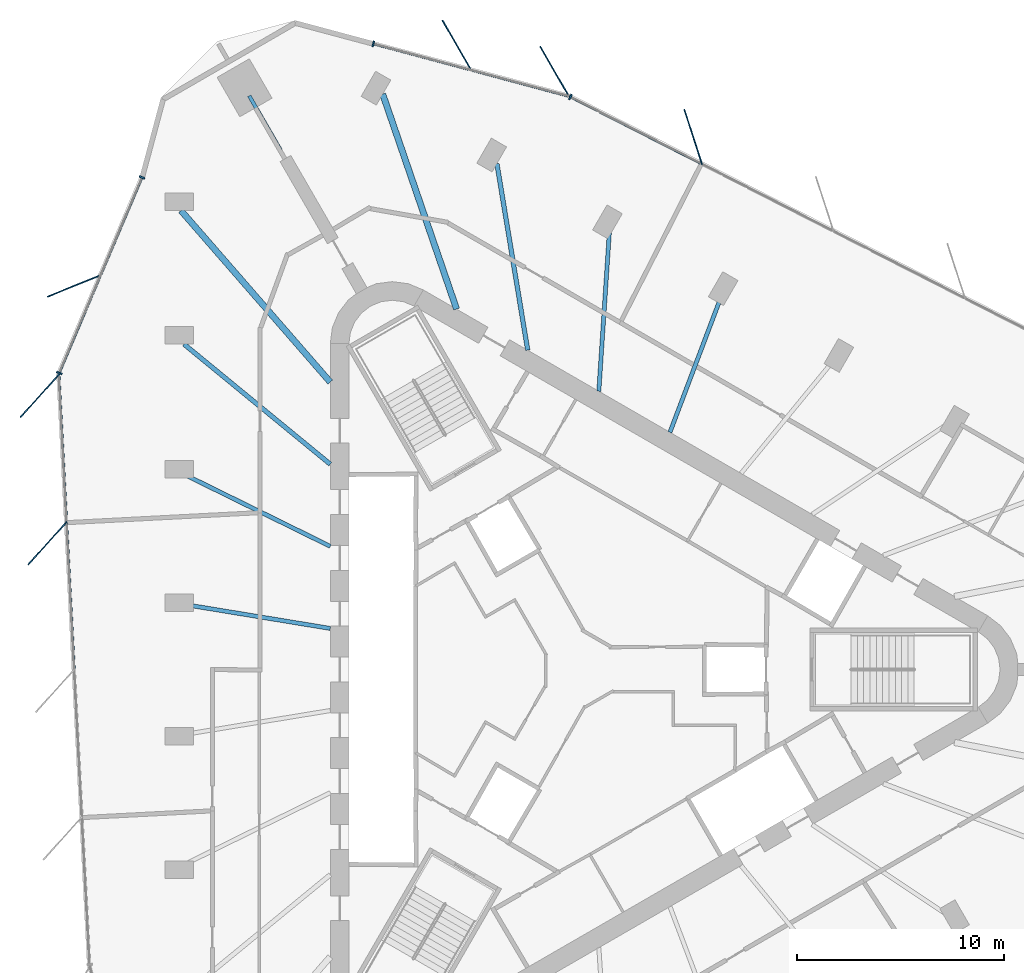
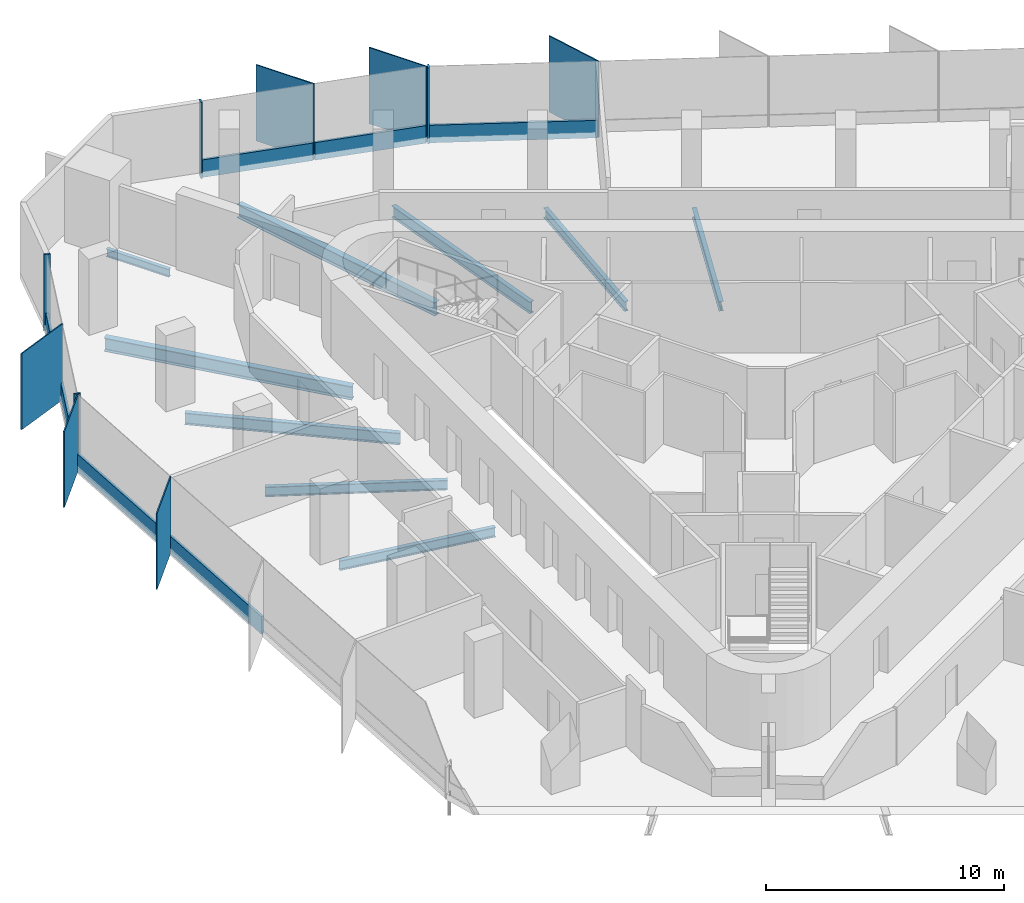
# One storey, part 4 of 12: 17 members, 9 beams, 4 elements without a shape of their own.
"""IFC4 building model written with IfcOpenShell, lengths in metres."""

from ifc_helpers import new_model, si_unit, direction, frame, origin, origin_2d, place, context, subcontext, project, spatial, rectangle, i_section, extrude, material, material_profile, profile_set, type_object, element, aggregate, save


model = new_model("IFC4")

# Units and contexts
model_context = context("Model", 3, precision=1e-05, world=origin(), true_north=direction((0.0, 1.0)))
body_context = subcontext(model_context, "Body", "Model", "MODEL_VIEW")
ifc_project = project(units=[si_unit("LENGTHUNIT", "METRE"), si_unit("AREAUNIT", "SQUARE_METRE"), si_unit("VOLUMEUNIT", "CUBIC_METRE"), si_unit("PLANEANGLEUNIT", "RADIAN"), si_unit("MASSUNIT", "GRAM", prefix="KILO")], contexts=[model_context])

# Site, building, storey
site_placement = place(None, origin())
site = spatial("IfcSite", under=ifc_project, at=site_placement, CompositionType="ELEMENT")
building_placement = place(site_placement, origin())
building = spatial("IfcBuilding", under=site, at=building_placement, Name="Tanit Gate Tower", CompositionType="ELEMENT")
storey_placement = place(building_placement, frame((0.0, 0.0, 357.199951171875)))
storey = spatial("IfcBuildingStorey", under=building, at=storey_placement, Name="L81", CompositionType="ELEMENT", Elevation=357.199951171875)

# Curtain wall, member
ifc_material_1 = material(Name="Aluminium bronze anodised and glass", Category="aluminium")
curtain_wall_type = type_object("IfcCurtainWallType", Name="Curtain wall typical high", PredefinedType="NOTDEFINED", material=ifc_material_1)
curtain_wall_1_placement = place(storey_placement, origin())
curtain_wall_1 = element("IfcCurtainWall", 1, at=curtain_wall_1_placement, inside=storey, type_object=curtain_wall_type, Name="Curtain wall L81 NE2", PredefinedType="NOTDEFINED")
ifc_material_2 = material(Name="Aluminium bronze anodised", Category="aluminium")
ifc_material_profile_1 = material_profile(ifc_material_2, rectangle(XDim=2.800048828125, YDim=0.055908203125, at=origin_2d()), Name="56x2800 bronze fin mullion")
ifc_profile_set_1 = profile_set([ifc_material_profile_1], Name="Aluminium bronze anodised")
member_type_1 = type_object("IfcMemberType", Name="FIN MULLION 56x2800 bronze", PredefinedType="MULLION", material=ifc_profile_set_1)
member_1_placement = place(storey_placement, frame((5.453125, 25.764404296875, -0.300048828125), z_axis=(0.0, 0.0, 1.0), x_axis=(0.308568289465, -0.951202192353, 0.0)))
member_1 = element("IfcMember", 2, at=member_1_placement, type_object=member_type_1, Name="Fin mullion L81 NE2.4", PredefinedType="MULLION", context=body_context, shape_type="SweptSolid", body=[
    extrude(rectangle(XDim=2.800048828125, YDim=0.055908203125, at=origin_2d()), origin(), (0.0, 0.0, 1.0), 3.900146484375),
])

# Curtain wall, members
curtain_wall_2_placement = place(storey_placement, origin())
curtain_wall_2 = element("IfcCurtainWall", 3, at=curtain_wall_2_placement, inside=storey, type_object=curtain_wall_type, Name="Curtain wall L81 NE3", PredefinedType="NOTDEFINED")
member_2_placement = place(storey_placement, frame((-1.247802734375, 28.92138671875, -0.300048828125), z_axis=(0.0, 0.0, 1.0), x_axis=(0.499728283218, -0.866182222718, 0.0)))
member_2 = element("IfcMember", 4, at=member_2_placement, type_object=member_type_1, Name="Fin mullion L81 NE3.1", PredefinedType="MULLION", context=body_context, shape_type="SweptSolid", body=[
    extrude(rectangle(XDim=2.800048828125, YDim=0.055908203125, at=origin_2d()), origin(), (0.0, 0.0, 1.0), 3.900146484375),
])
member_3_placement = place(storey_placement, frame((-5.977783203125, 30.1904296875, -0.300048828125), z_axis=(0.0, 0.0, 1.0), x_axis=(0.499728283218, -0.866182222718, 0.0)))
member_3 = element("IfcMember", 5, at=member_3_placement, type_object=member_type_1, Name="Fin mullion L81 NE3.2", PredefinedType="MULLION", context=body_context, shape_type="SweptSolid", body=[
    extrude(rectangle(XDim=2.800048828125, YDim=0.055908203125, at=origin_2d()), origin(), (0.0, 0.0, 1.0), 3.900146484375),
])

# Curtain wall, member
curtain_wall_3_placement = place(storey_placement, origin())
curtain_wall_3 = element("IfcCurtainWall", 6, at=curtain_wall_3_placement, inside=storey, type_object=curtain_wall_type, Name="Curtain wall L81 W1", PredefinedType="NOTDEFINED")
member_4_placement = place(storey_placement, frame((-24.489501953125, 18.553466796875, -0.300048828125), z_axis=(0.0, 0.0, 1.0), x_axis=(0.926847644188, 0.375437670544, 0.0)))
member_4 = element("IfcMember", 7, at=member_4_placement, type_object=member_type_1, Name="Fin mullion L81 W1.2", PredefinedType="MULLION", context=body_context, shape_type="SweptSolid", body=[
    extrude(rectangle(XDim=2.800048828125, YDim=0.055908203125, at=origin_2d()), origin(), (0.0, 0.0, 1.0), 3.900146484375),
])

# Curtain wall, members
curtain_wall_4_placement = place(storey_placement, origin())
curtain_wall_4 = element("IfcCurtainWall", 8, at=curtain_wall_4_placement, inside=storey, type_object=curtain_wall_type, Name="Curtain wall L81 W2", PredefinedType="NOTDEFINED")
member_5_placement = place(storey_placement, frame((-26.150634765625, 13.239990234375, -0.300048828125), z_axis=(0.0, 0.0, 1.0), x_axis=(0.66948111798, 0.742829073656, 0.0)))
member_5 = element("IfcMember", 9, at=member_5_placement, type_object=member_type_1, Name="Fin mullion L81 W2.1", PredefinedType="MULLION", context=body_context, shape_type="SweptSolid", body=[
    extrude(rectangle(XDim=2.800048828125, YDim=0.055908203125, at=origin_2d()), origin(), (0.0, 0.0, 1.0), 3.900146484375),
])
member_6_placement = place(storey_placement, frame((-25.780029296875, 6.106689453125, -0.300048828125), z_axis=(0.0, 0.0, 1.0), x_axis=(0.66948111798, 0.742829073656, 0.0)))
member_6 = element("IfcMember", 10, at=member_6_placement, type_object=member_type_1, Name="Fin mullion L81 W2.2", PredefinedType="MULLION", context=body_context, shape_type="SweptSolid", body=[
    extrude(rectangle(XDim=2.800048828125, YDim=0.055908203125, at=origin_2d()), origin(), (0.0, 0.0, 1.0), 3.900146484375),
])

# Member
ifc_material_3 = material(Name="Aluminium bronze anodised", Category="aluminium")
ifc_material_profile_2 = material_profile(ifc_material_3, rectangle(XDim=0.280029296875, YDim=0.080078125, at=origin_2d()), Name="80x280 bronze mullion")
ifc_profile_set_2 = profile_set([ifc_material_profile_2], Name="Aluminium bronze anodised")
member_type_2 = type_object("IfcMemberType", Name="Mullion 80x280 typical high", PredefinedType="MULLION", material=ifc_profile_set_2)
member_7_placement = place(storey_placement, frame((-0.48388671875, 27.697265625, -0.300048828125), z_axis=(0.0, 0.0, 1.0), x_axis=(-0.454410790552, -0.890792250432, 0.0)))
member_7 = element("IfcMember", 11, at=member_7_placement, type_object=member_type_2, Name="Mullion L81 NE2.5", PredefinedType="MULLION", context=body_context, shape_type="SweptSolid", body=[
    extrude(rectangle(XDim=0.280029296875, YDim=0.080078125, at=origin_2d()), origin(), (0.0, 0.0, 1.0), 3.900146484375),
])

member_8_placement = place(storey_placement, frame((-10.01806640625, 30.263916015625, -0.300048828125), z_axis=(0.0, 0.0, 1.0), x_axis=(-0.259122065613, -0.965844581241, 0.0)))
member_8 = element("IfcMember", 12, at=member_8_placement, type_object=member_type_2, Name="Mullion L81 NE3.3", PredefinedType="MULLION", context=body_context, shape_type="SweptSolid", body=[
    extrude(rectangle(XDim=0.280029296875, YDim=0.080078125, at=origin_2d()), origin(), (0.0, 0.0, 1.0), 3.900146484375),
])

member_9_placement = place(storey_placement, frame((-21.207763671875, 23.801513671875, -0.300048828125), z_axis=(0.0, 0.0, 1.0), x_axis=(0.920854777087, -0.389905731577, 0.0)))
member_9 = element("IfcMember", 13, at=member_9_placement, type_object=member_type_2, Name="Mullion L81 W1.1", PredefinedType="MULLION", context=body_context, shape_type="SweptSolid", body=[
    extrude(rectangle(XDim=0.280029296875, YDim=0.080078125, at=origin_2d()), origin(), (0.0, 0.0, 1.0), 3.900146484375),
])

member_10_placement = place(storey_placement, frame((-25.212890625, 14.341796875, -0.300048828125), z_axis=(0.0, 0.0, 1.0), x_axis=(0.920854777087, -0.389905731577, 0.0)))
member_10 = element("IfcMember", 14, at=member_10_placement, type_object=member_type_2, Name="Mullion L81 W1.3", PredefinedType="MULLION", context=body_context, shape_type="SweptSolid", body=[
    extrude(rectangle(XDim=0.280029296875, YDim=0.080078125, at=origin_2d()), origin(), (0.0, 0.0, 1.0), 3.900146484375),
])

# Beams
ifc_material_4 = material(Name="Steel S355", Category="steel")
ifc_material_profile_3 = material_profile(ifc_material_4, i_section(OverallWidth=0.300048828125, OverallDepth=0.68994140625, WebThickness=0.014404296875, FlangeThickness=0.027099609375, FilletRadius=0.027099609375, at=origin_2d()), Name="HEA 700")
ifc_profile_set_3 = profile_set([ifc_material_profile_3], Name="Steel S355")
beam_type_1 = type_object("IfcBeamType", Name="RADIAL GIRDER HEA 700 S355", PredefinedType="BEAM", material=ifc_profile_set_3)
for number, where, z_axis, x_axis, name in (
    (15, (-9.563720703125, 27.83251953125, -0.64501953125), (0.324979251092, -0.945721146195, 0.0), (0.945721146195, 0.324979251092, 0.0), "RADIAL GIRDER"),
    (16, (-19.322021484375, 22.198486328125, -0.64501953125), (0.656551846621, -0.754280897742, 0.0), (0.754280897742, 0.656551846621, 0.0), "RADIAL GIRDER"),
):
    element("IfcBeam", number, at=place(storey_placement, frame(where, z_axis=z_axis, x_axis=x_axis)), inside=storey, type_object=beam_type_1, Name=name, PredefinedType="BEAM", context=body_context, shape_type="SweptSolid", body=[
        extrude(i_section(OverallWidth=0.300048828125, OverallDepth=0.68994140625, WebThickness=0.014404296875, FlangeThickness=0.027099609375, FilletRadius=0.027099609375, at=origin_2d()), origin(), (0.0, 0.0, 1.0), 10.996826171875),
    ])
ifc_material_5 = material(Name="Steel S355", Category="steel")
ifc_material_profile_4 = material_profile(ifc_material_5, i_section(OverallWidth=0.179931640625, OverallDepth=0.39990234375, WebThickness=0.008544921875, FlangeThickness=0.013427734375, FilletRadius=0.02099609375, at=origin_2d()), Name="IPE 400")
ifc_profile_set_4 = profile_set([ifc_material_profile_4], Name="Steel S355")
beam_type_2 = type_object("IfcBeamType", Name="RADIAL GIRDER IPE 400 S355", PredefinedType="BEAM", material=ifc_profile_set_4)
beam_1_placement = place(storey_placement, frame((-16.019775390625, 27.746826171875, -0.5), z_axis=(0.500014901547, -0.866016800201, 0.0), x_axis=(0.866016800201, 0.500014901547, 0.0)))
element("IfcBeam", 17, at=beam_1_placement, inside=storey, type_object=beam_type_2, Name="RADIAL GIRDER", PredefinedType="BEAM", context=body_context, shape_type="SweptSolid", body=[
    extrude(i_section(OverallWidth=0.179931640625, OverallDepth=0.39990234375, WebThickness=0.008544921875, FlangeThickness=0.013427734375, FilletRadius=0.02099609375, at=origin_2d()), origin(), (0.0, 0.0, 1.0), 3.03515625),
])
ifc_material_6 = material(Name="Steel S355", Category="steel")
ifc_material_profile_5 = material_profile(ifc_material_6, i_section(OverallWidth=0.199951171875, OverallDepth=0.5, WebThickness=0.01025390625, FlangeThickness=0.01611328125, FilletRadius=0.02099609375, at=origin_2d()), Name="IPE 500")
ifc_profile_set_5 = profile_set([ifc_material_profile_5], Name="Steel S355")
beam_type_3 = type_object("IfcBeamType", Name="RADIAL GIRDER IPE 500 S355", PredefinedType="BEAM", material=ifc_profile_set_5)
beam_2_placement = place(storey_placement, frame((6.79638671875, 18.005859375, -0.550048828125), z_axis=(-0.353142148435, -0.935569678324, 0.0), x_axis=(0.935569678324, -0.353142148435, 0.0)))
element("IfcBeam", 18, at=beam_2_placement, inside=storey, type_object=beam_type_3, Name="RADIAL GIRDER", PredefinedType="BEAM", context=body_context, shape_type="SweptSolid", body=[
    extrude(i_section(OverallWidth=0.199951171875, OverallDepth=0.5, WebThickness=0.01025390625, FlangeThickness=0.01611328125, FilletRadius=0.02099609375, at=origin_2d()), origin(), (0.0, 0.0, 1.0), 6.98193359375),
])
beam_3_placement = place(storey_placement, frame((1.3974609375, 21.122802734375, -0.550048828125), z_axis=(-0.066029480547, -0.997817672573, 0.0), x_axis=(0.997817672573, -0.066029480547, 0.0)))
element("IfcBeam", 19, at=beam_3_placement, inside=storey, type_object=beam_type_3, Name="RADIAL GIRDER", PredefinedType="BEAM", context=body_context, shape_type="SweptSolid", body=[
    extrude(i_section(OverallWidth=0.199951171875, OverallDepth=0.5, WebThickness=0.01025390625, FlangeThickness=0.01611328125, FilletRadius=0.02099609375, at=origin_2d()), origin(), (0.0, 0.0, 1.0), 7.6796875),
])
beam_4_placement = place(storey_placement, frame((-18.99169921875, 9.35107421875, -0.550048828125), z_axis=(0.897144509959, -0.441737171009, 0.0), x_axis=(0.441737171009, 0.897144509959, 0.0)))
element("IfcBeam", 20, at=beam_4_placement, inside=storey, type_object=beam_type_3, Name="RADIAL GIRDER", PredefinedType="BEAM", context=body_context, shape_type="SweptSolid", body=[
    extrude(i_section(OverallWidth=0.199951171875, OverallDepth=0.5, WebThickness=0.01025390625, FlangeThickness=0.01611328125, FilletRadius=0.02099609375, at=origin_2d()), origin(), (0.0, 0.0, 1.0), 7.679443359375),
])
beam_5_placement = place(storey_placement, frame((-18.99169921875, 3.116943359375, -0.550048828125), z_axis=(0.986795432202, -0.161971525229, 0.0), x_axis=(0.161971525229, 0.986795432202, 0.0)))
element("IfcBeam", 21, at=beam_5_placement, inside=storey, type_object=beam_type_3, Name="RADIAL GIRDER", PredefinedType="BEAM", context=body_context, shape_type="SweptSolid", body=[
    extrude(i_section(OverallWidth=0.199951171875, OverallDepth=0.5, WebThickness=0.01025390625, FlangeThickness=0.01611328125, FilletRadius=0.02099609375, at=origin_2d()), origin(), (0.0, 0.0, 1.0), 6.98193359375),
])
ifc_material_7 = material(Name="Steel S355", Category="steel")
ifc_material_profile_6 = material_profile(ifc_material_7, i_section(OverallWidth=0.219970703125, OverallDepth=0.60009765625, WebThickness=0.011962890625, FlangeThickness=0.01904296875, FilletRadius=0.02392578125, at=origin_2d()), Name="IPE 600")
ifc_profile_set_6 = profile_set([ifc_material_profile_6], Name="Steel S355")
beam_type_4 = type_object("IfcBeamType", Name="RADIAL GIRDER IPE 600 S355", PredefinedType="BEAM", material=ifc_profile_set_6)
for number, where, z_axis, x_axis, name in (
    (22, (-4.039794921875, 24.472412109375, -0.599853515625), (0.162871136194, -0.986647349865, 0.0), (0.986647349865, 0.162871136194, 0.0), "RADIAL GIRDER"),
    (23, (-19.173828125, 15.734619140625, -0.599853515625), (0.773033772719, -0.634364868381, 0.0), (0.634364868381, 0.773033772719, 0.0), "RADIAL GIRDER"),
):
    element("IfcBeam", number, at=place(storey_placement, frame(where, z_axis=z_axis, x_axis=x_axis)), inside=storey, type_object=beam_type_4, Name=name, PredefinedType="BEAM", context=body_context, shape_type="SweptSolid", body=[
        extrude(i_section(OverallWidth=0.219970703125, OverallDepth=0.60009765625, WebThickness=0.011962890625, FlangeThickness=0.01904296875, FilletRadius=0.02392578125, at=origin_2d()), origin(), (0.0, 0.0, 1.0), 9.148193359375),
    ])

# Member
ifc_material_8 = material(Name="Aluminium bronze anodised", Category="aluminium")
ifc_material_profile_7 = material_profile(ifc_material_8, rectangle(XDim=0.1201171875, YDim=0.89990234375, at=origin_2d()), Name="120x900 bronze transom")
ifc_profile_set_7 = profile_set([ifc_material_profile_7], Name="Aluminium bronze anodised")
member_type_3 = type_object("IfcMemberType", Name="Transom 120x900 typical high", PredefinedType="USERDEFINED", material=ifc_profile_set_7)
member_11_placement = place(storey_placement, frame((5.84326171875, 24.4697265625, 0.150146484375), z_axis=(-0.890789284011, 0.45441660565, 0.0), x_axis=(-0.45441660565, -0.890789284011, 0.0)))
member_11 = element("IfcMember", 24, at=member_11_placement, type_object=member_type_3, Name="Transom L81 NE2.4", ObjectType="TRANSOM", PredefinedType="USERDEFINED", context=body_context, shape_type="SweptSolid", body=[
    extrude(rectangle(XDim=0.1201171875, YDim=0.89990234375, at=origin_2d()), origin(), (0.0, 0.0, 1.0), 7.062744140625),
])

aggregate(curtain_wall_1, [member_1, member_7, member_11])

member_12_placement = place(storey_placement, frame((-0.5966796875, 27.736328125, 0.150146484375), z_axis=(-0.965853664753, 0.259088205605, 0.0), x_axis=(-0.259088205605, -0.965853664753, 0.0)))
member_12 = element("IfcMember", 25, at=member_12_placement, type_object=member_type_3, Name="Transom L81 NE3.1", ObjectType="TRANSOM", PredefinedType="USERDEFINED", context=body_context, shape_type="SweptSolid", body=[
    extrude(rectangle(XDim=0.1201171875, YDim=0.89990234375, at=origin_2d()), origin(), (0.0, 0.0, 1.0), 4.817138671875),
])

member_13_placement = place(storey_placement, frame((-5.32666015625, 29.005126953125, 0.150146484375), z_axis=(-0.965840980944, 0.259135484891, 0.0), x_axis=(-0.259135484891, -0.965840980944, 0.0)))
member_13 = element("IfcMember", 26, at=member_13_placement, type_object=member_type_3, Name="Transom L81 NE3.2", ObjectType="TRANSOM", PredefinedType="USERDEFINED", context=body_context, shape_type="SweptSolid", body=[
    extrude(rectangle(XDim=0.1201171875, YDim=0.89990234375, at=origin_2d()), origin(), (0.0, 0.0, 1.0), 4.817138671875),
])

aggregate(curtain_wall_2, [member_2, member_3, member_8, member_12, member_13])

member_14_placement = place(storey_placement, frame((-21.223388671875, 23.7646484375, 0.150146484375), z_axis=(-0.389888845376, -0.920861926812, 0.0), x_axis=(0.920861926812, -0.389888845376, 0.0)))
member_14 = element("IfcMember", 27, at=member_14_placement, type_object=member_type_3, Name="Transom L81 W1.1", ObjectType="TRANSOM", PredefinedType="USERDEFINED", context=body_context, shape_type="SweptSolid", body=[
    extrude(rectangle(XDim=0.1201171875, YDim=0.89990234375, at=origin_2d()), origin(), (0.0, 0.0, 1.0), 5.056396484375),
])

member_15_placement = place(storey_placement, frame((-23.225830078125, 19.034912109375, 0.150146484375), z_axis=(-0.389929787941, -0.920844590838, 0.0), x_axis=(0.920844590838, -0.389929787941, 0.0)))
member_15 = element("IfcMember", 28, at=member_15_placement, type_object=member_type_3, Name="Transom L81 W1.2", ObjectType="TRANSOM", PredefinedType="USERDEFINED", context=body_context, shape_type="SweptSolid", body=[
    extrude(rectangle(XDim=0.1201171875, YDim=0.89990234375, at=origin_2d()), origin(), (0.0, 0.0, 1.0), 5.056396484375),
])

aggregate(curtain_wall_3, [member_9, member_4, member_10, member_14, member_15])

member_16_placement = place(storey_placement, frame((-25.224365234375, 14.22509765625, 0.150146484375), z_axis=(0.051851236753, -0.998654819869, 0.0), x_axis=(0.998654819869, 0.051851236753, 0.0)))
member_16 = element("IfcMember", 29, at=member_16_placement, type_object=member_type_3, Name="Transom L81 W2.1", ObjectType="TRANSOM", PredefinedType="USERDEFINED", context=body_context, shape_type="SweptSolid", body=[
    extrude(rectangle(XDim=0.1201171875, YDim=0.89990234375, at=origin_2d()), origin(), (0.0, 0.0, 1.0), 7.062744140625),
])

member_17_placement = place(storey_placement, frame((-24.85400390625, 7.092041015625, 0.150146484375), z_axis=(0.051851236753, -0.998654819869, 0.0), x_axis=(0.998654819869, 0.051851236753, 0.0)))
member_17 = element("IfcMember", 30, at=member_17_placement, type_object=member_type_3, Name="Transom L81 W2.2", ObjectType="TRANSOM", PredefinedType="USERDEFINED", context=body_context, shape_type="SweptSolid", body=[
    extrude(rectangle(XDim=0.1201171875, YDim=0.89990234375, at=origin_2d()), origin(), (0.0, 0.0, 1.0), 7.062744140625),
])

aggregate(curtain_wall_4, [member_5, member_6, member_16, member_17])

save(model, "model.ifc")
